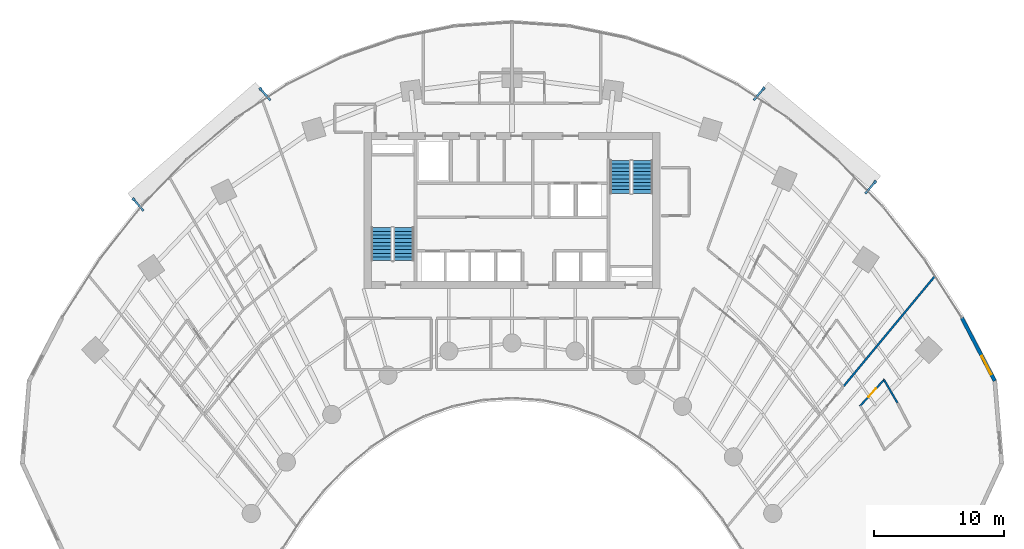
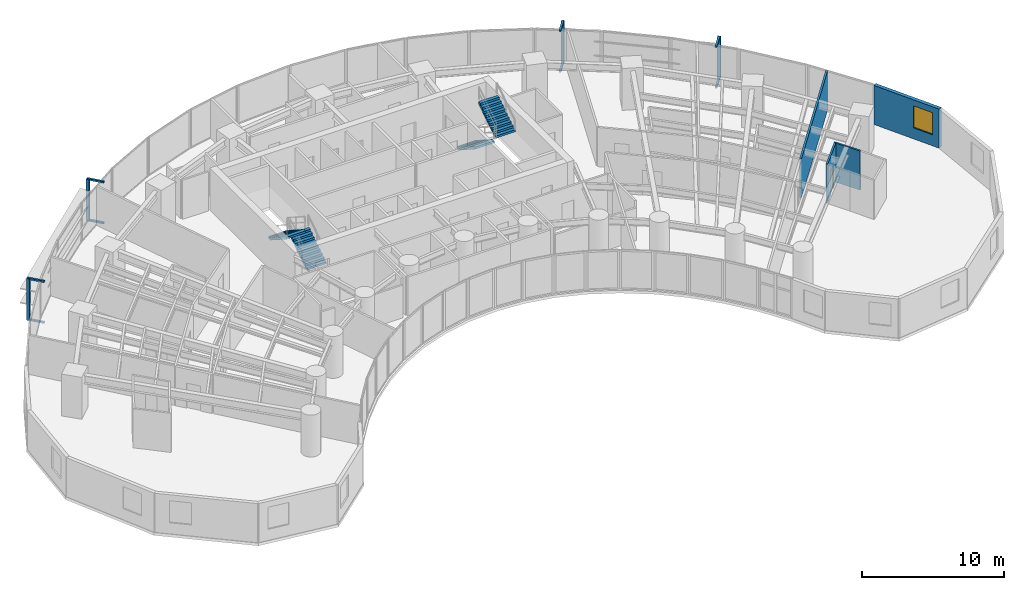
# One storey, part 15 of 17: 12 discrete accessories, 4 stair flights, 4 walls, 1 door, 1 window, 2 openings, 2 elements without a shape of their own.
"""IFC4 building model written with IfcOpenShell, lengths in metres."""

from ifc_helpers import new_model, si_unit, direction, frame, frame_2d, origin, origin_2d, place, context, subcontext, project, spatial, polyline, rectangle, outline, extrude, source, transform, mapped, material, layer, layer_set, type_object, type_shapes, element, fill, aggregate, save


model = new_model("IFC4")

# Units and contexts
model_context = context("Model", 3, precision=1e-05, world=origin(), true_north=direction((0.0, 1.0)))
body_context = subcontext(model_context, "Body", "Model", "MODEL_VIEW")
ifc_project = project(units=[si_unit("LENGTHUNIT", "METRE"), si_unit("AREAUNIT", "SQUARE_METRE"), si_unit("VOLUMEUNIT", "CUBIC_METRE"), si_unit("PLANEANGLEUNIT", "RADIAN"), si_unit("MASSUNIT", "GRAM", prefix="KILO")], contexts=[model_context])

# Site, building, storey
site_placement = place(None, origin())
site = spatial("IfcSite", under=ifc_project, at=site_placement, CompositionType="ELEMENT")
building_placement = place(site_placement, origin())
building = spatial("IfcBuilding", under=site, at=building_placement, Name="Breltana Convention Tower", CompositionType="ELEMENT")
storey_placement = place(building_placement, frame((0.0, 0.0, 53.39990234375)))
storey = spatial("IfcBuildingStorey", under=building, at=storey_placement, Name="L11", CompositionType="ELEMENT", Elevation=53.39990234375)

# Wall, opening, window
ifc_material_1 = material(Name="Limestone Buff Insulated Wall", Category="masonry")
ifc_layer_1 = layer(ifc_material_1, 0.280029296875, Name="Limestone Buff Insulated Wall")
ifc_layer_set_1 = layer_set([ifc_layer_1], Name="Limestone Buff Insulated Wall")
wall_type_1 = type_object("IfcWallType", Name="WL-EXT-NOSE-280", PredefinedType="SOLIDWALL", material=ifc_layer_set_1)
shared_shape_1 = source(origin(), body_context, "Body", "SweptSolid", [
    extrude(rectangle(XDim=5.45947265625, YDim=0.280029296875, at=frame_2d((2.729736328125, 0.0))), origin(), (0.0, 0.0, 1.0), 3.360107421875),
])
wall_1_placement = place(storey_placement, frame((82.531982421875, 57.964599609375, 0.0), z_axis=(0.0, 0.0, 1.0), x_axis=(0.461768054321, -0.887000712518, 0.0)))
wall_1 = element("IfcWall", 1, at=wall_1_placement, inside=storey, type_object=wall_type_1, Name="L11 curved limestone nose wall E7", PredefinedType="SOLIDWALL", context=body_context, shape_type="MappedRepresentation", body=[
    mapped(shared_shape_1, transform((0.0, 0.0, 0.0), scale=1.0)),
])
opening_1_placement = place(wall_1_placement, frame((3.294677734375, 0.0, 0.949951171875)))
opening_1 = element("IfcOpeningElement", 2, at=opening_1_placement, cuts=wall_1, Name="Opening W-04", PredefinedType="OPENING", context=body_context, shape_type="SweptSolid", body=[
    extrude(rectangle(XDim=1.60009765625, YDim=1.89990234375, at=frame_2d((0.800048828125, 0.949951171875))), frame((0.0, 0.14990234375, 0.0), z_axis=(0.0, -1.0, 0.0), x_axis=(1.0, 0.0, 0.0)), (0.0, 0.0, 1.0), 0.300048828125),
])
ifc_material_2 = material(Name="Glass Low-E Insulated Window", Category="glass")
window_type = type_object("IfcWindowType", Name="WN-NOSE-1600X1900", PartitioningType="SINGLE_PANEL", PredefinedType="WINDOW", material=ifc_material_2)
shared_shape_2 = source(origin(), body_context, "Body", "SweptSolid", [
    extrude(rectangle(XDim=1.60009765625, YDim=1.89990234375, at=frame_2d((0.800048828125, 0.949951171875))), frame((0.0, 0.030029296875, 0.0), z_axis=(0.0, -1.0, 0.0), x_axis=(1.0, 0.0, 0.0)), (0.0, 0.0, 1.0), 0.06005859375),
])
type_shapes(window_type, [shared_shape_2])
window_placement = place(opening_1_placement, origin())
window = element("IfcWindow", 3, at=window_placement, inside=storey, type_object=window_type, Name="L11 nose window E7", OverallHeight=1.89990234375, OverallWidth=1.60009765625, PartitioningType="SINGLE_PANEL", PredefinedType="WINDOW", context=body_context, shape_type="MappedRepresentation", body=[
    mapped(shared_shape_2, transform((0.0, 0.0, 0.0), scale=1.0)),
])
fill(opening_1, window)

# Wall, opening, door
ifc_material_3 = material(Name="Moisture-Resistant En-Suite Partition")
ifc_layer_2 = layer(ifc_material_3, 0.139892578125, Name="Moisture-Resistant En-Suite Partition")
ifc_layer_set_2 = layer_set([ifc_layer_2], Name="Moisture-Resistant En-Suite Partition")
wall_type_2 = type_object("IfcWallType", Name="WL-WET-150", PredefinedType="PARTITIONING", material=ifc_layer_set_2)
shared_shape_3 = source(origin(), body_context, "Body", "SweptSolid", [
    extrude(rectangle(XDim=2.812255859375, YDim=0.139892578125, at=frame_2d((1.40625, 0.0))), origin(), (0.0, 0.0, 1.0), 3.360107421875),
])
wall_2_placement = place(storey_placement, frame((74.69677734375, 51.176513671875, 0.0), z_axis=(0.0, 0.0, 1.0), x_axis=(0.675119025852, 0.737708818527, 0.0)))
wall_2 = element("IfcWall", 4, at=wall_2_placement, inside=storey, type_object=wall_type_2, Name="L11 interior partition W-L11-CSENS-E-W", PredefinedType="PARTITIONING", context=body_context, shape_type="MappedRepresentation", body=[
    mapped(shared_shape_3, transform((0.0, 0.0, 0.0), scale=1.0)),
])
opening_2_placement = place(wall_2_placement, frame((0.981201171875, 0.0, 0.0)))
opening_2 = element("IfcOpeningElement", 5, at=opening_2_placement, cuts=wall_2, Name="Opening D-21", PredefinedType="OPENING", context=body_context, shape_type="SweptSolid", body=[
    extrude(rectangle(XDim=0.85009765625, YDim=2.050048828125, at=frame_2d((0.425048828125, 1.02490234375))), frame((0.0, 0.080078125, 0.0), z_axis=(0.0, -1.0, 0.0), x_axis=(1.0, 0.0, 0.0)), (0.0, 0.0, 1.0), 0.159912109375),
])
ifc_material_4 = material(Name="Timber Moisture-Resistant En-Suite Door", Category="wood")
door_type = type_object("IfcDoorType", Name="DR-WET-850", OperationType="NOTDEFINED", PredefinedType="DOOR", material=ifc_material_4)
shared_shape_4 = source(origin(), body_context, "Body", "SweptSolid", [
    extrude(rectangle(XDim=0.85009765625, YDim=2.050048828125, at=frame_2d((0.425048828125, 1.02490234375))), frame((0.0, 0.02490234375, 0.0), z_axis=(0.0, -1.0, 0.0), x_axis=(1.0, 0.0, 0.0)), (0.0, 0.0, 1.0), 0.050048828125),
])
type_shapes(door_type, [shared_shape_4])
door_placement = place(opening_2_placement, origin())
door = element("IfcDoor", 6, at=door_placement, inside=storey, type_object=door_type, Name="L11 interior door D-L11-CSENS-E", OperationType="SINGLE_SWING_LEFT", OverallHeight=2.050048828125, OverallWidth=0.85009765625, PredefinedType="DOOR", context=body_context, shape_type="MappedRepresentation", body=[
    mapped(shared_shape_4, transform((0.0, 0.0, 0.0), scale=1.0)),
])
fill(opening_2, door)

# Walls
shared_shape_5 = source(origin(), body_context, "Body", "SweptSolid", [
    extrude(rectangle(XDim=2.044677734375, YDim=0.139892578125, at=frame_2d((1.0224609375, 0.0))), origin(), (0.0, 0.0, 1.0), 3.360107421875),
])
wall_3_placement = place(storey_placement, frame((76.556640625, 53.208984375, 0.0), z_axis=(0.0, 0.0, 1.0), x_axis=(0.5023112139, -0.864686905411, 0.0)))
element("IfcWall", 7, at=wall_3_placement, inside=storey, type_object=wall_type_2, Name="L11 interior partition W-L11-CSENS-E-B2A", PredefinedType="PARTITIONING", context=body_context, shape_type="MappedRepresentation", body=[
    mapped(shared_shape_5, transform((0.0, 0.0, 0.0), scale=1.0)),
])
ifc_material_5 = material(Name="Gypsum Acoustic Drywall Partition")
ifc_layer_3 = layer(ifc_material_5, 0.14990234375, Name="Gypsum Acoustic Drywall Partition")
ifc_layer_set_3 = layer_set([ifc_layer_3], Name="Gypsum Acoustic Drywall Partition")
wall_type_3 = type_object("IfcWallType", Name="WL-PART-150", PredefinedType="PARTITIONING", material=ifc_layer_set_3)
shared_shape_6 = source(origin(), body_context, "Body", "SweptSolid", [
    extrude(rectangle(XDim=10.974609375, YDim=0.14990234375, at=frame_2d((5.4873046875, 0.0))), origin(), (0.0, 0.0, 1.0), 3.360107421875),
])
wall_4_placement = place(storey_placement, frame((73.460205078125, 52.71875, 0.0), z_axis=(0.0, 0.0, 1.0), x_axis=(0.638125265812, 0.769932558821, 0.0)))
element("IfcWall", 8, at=wall_4_placement, inside=storey, type_object=wall_type_3, Name="L11 interior partition W-L11-HS04-RB", PredefinedType="PARTITIONING", context=body_context, shape_type="MappedRepresentation", body=[
    mapped(shared_shape_6, transform((0.0, 0.0, 0.0), scale=1.0)),
])

# Stair, stair flights
ifc_material_6 = material(Name="Concrete C40/50", Category="concrete")
stair_type = type_object("IfcStairType", Name="ST-DOG-1560-R180", PredefinedType="HALF_TURN_STAIR", material=ifc_material_6)
stair_1_placement = place(storey_placement, origin())
stair_1 = element("IfcStair", 9, at=stair_1_placement, inside=storey, type_object=stair_type, Name="L11 Protected Core Exit Stair ST-1", PredefinedType="HALF_TURN_STAIR")
stair_flight_type = type_object("IfcStairFlightType", Name="STF-DOG-1560-N10-R180", PredefinedType="STRAIGHT", material=ifc_material_6)
stair_flight_1_placement = place(storey_placement, frame((39.68994140625, 62.360107421875, 0.0), z_axis=(0.0, 0.0, 1.0), x_axis=(0.0, 1.0, 0.0)))
stair_flight_1 = element("IfcStairFlight", 10, at=stair_flight_1_placement, type_object=stair_flight_type, Name="ST-1 flight 1", NumberOfRisers=10, NumberOfTreads=9, PredefinedType="STRAIGHT", RiserHeight=0.18, TreadLength=0.28, context=body_context, shape_type="SweptSolid", body=[
    extrude(outline(polyline([(0.0, 0.0), (0.0, 0.179931640625), (0.280029296875, 0.179931640625), (0.280029296875, 0.360107421875), (0.56005859375, 0.360107421875), (0.56005859375, 0.5400390625), (0.840087890625, 0.5400390625), (0.840087890625, 0.719970703125), (1.1201171875, 0.719970703125), (1.1201171875, 0.89990234375), (1.39990234375, 0.89990234375), (1.39990234375, 1.080078125), (1.679931640625, 1.080078125), (1.679931640625, 1.260009765625), (1.9599609375, 1.260009765625), (1.9599609375, 1.43994140625), (2.239990234375, 1.43994140625), (2.239990234375, 1.6201171875), (2.52001953125, 1.6201171875), (2.52001953125, 1.800048828125), (2.52001953125, 1.44189453125), (0.277099609375, 0.0), (0.0, 0.0)])), frame((0.0, 0.780029296875, 0.0), z_axis=(0.0, -1.0, 0.0), x_axis=(1.0, 0.0, 0.0)), (0.0, 0.0, 1.0), 1.56005859375),
])
stair_flight_2_placement = place(storey_placement, frame((37.97998046875, 64.8798828125, 1.800048828125), z_axis=(0.0, 0.0, 1.0), x_axis=(0.0, -1.0, 0.0)))
stair_flight_2 = element("IfcStairFlight", 11, at=stair_flight_2_placement, type_object=stair_flight_type, Name="ST-1 flight 2", NumberOfRisers=10, NumberOfTreads=9, PredefinedType="STRAIGHT", RiserHeight=0.18, TreadLength=0.28, context=body_context, shape_type="SweptSolid", body=[
    extrude(outline(polyline([(0.0, 0.0), (0.0, 0.179931640625), (0.280029296875, 0.179931640625), (0.280029296875, 0.360107421875), (0.56005859375, 0.360107421875), (0.56005859375, 0.5400390625), (0.840087890625, 0.5400390625), (0.840087890625, 0.719970703125), (1.1201171875, 0.719970703125), (1.1201171875, 0.89990234375), (1.39990234375, 0.89990234375), (1.39990234375, 1.080078125), (1.679931640625, 1.080078125), (1.679931640625, 1.260009765625), (1.9599609375, 1.260009765625), (1.9599609375, 1.43994140625), (2.239990234375, 1.43994140625), (2.239990234375, 1.6201171875), (2.52001953125, 1.6201171875), (2.52001953125, 1.800048828125), (2.52001953125, 1.44189453125), (0.277099609375, 0.0), (0.0, 0.0)])), frame((0.0, 0.780029296875, 0.0), z_axis=(0.0, -1.0, 0.0), x_axis=(1.0, 0.0, 0.0)), (0.0, 0.0, 1.0), 1.56005859375),
])
aggregate(stair_1, [stair_flight_1, stair_flight_2])

stair_2_placement = place(storey_placement, origin())
stair_2 = element("IfcStair", 12, at=stair_2_placement, inside=storey, type_object=stair_type, Name="L11 Protected Core Exit Stair ST-2", PredefinedType="HALF_TURN_STAIR")
stair_flight_3_placement = place(storey_placement, frame((56.31005859375, 70.0400390625, 0.0), z_axis=(0.0, 0.0, 1.0), x_axis=(0.0, -1.0, 0.0)))
stair_flight_3 = element("IfcStairFlight", 13, at=stair_flight_3_placement, type_object=stair_flight_type, Name="ST-2 flight 1", NumberOfRisers=10, NumberOfTreads=9, PredefinedType="STRAIGHT", RiserHeight=0.18, TreadLength=0.28, context=body_context, shape_type="SweptSolid", body=[
    extrude(outline(polyline([(0.0, 0.0), (0.0, 0.179931640625), (0.280029296875, 0.179931640625), (0.280029296875, 0.360107421875), (0.56005859375, 0.360107421875), (0.56005859375, 0.5400390625), (0.840087890625, 0.5400390625), (0.840087890625, 0.719970703125), (1.1201171875, 0.719970703125), (1.1201171875, 0.89990234375), (1.39990234375, 0.89990234375), (1.39990234375, 1.080078125), (1.679931640625, 1.080078125), (1.679931640625, 1.260009765625), (1.9599609375, 1.260009765625), (1.9599609375, 1.43994140625), (2.239990234375, 1.43994140625), (2.239990234375, 1.6201171875), (2.52001953125, 1.6201171875), (2.52001953125, 1.800048828125), (2.52001953125, 1.44189453125), (0.277099609375, 0.0), (0.0, 0.0)])), frame((0.0, 0.780029296875, 0.0), z_axis=(0.0, -1.0, 0.0), x_axis=(1.0, 0.0, 0.0)), (0.0, 0.0, 1.0), 1.56005859375),
])
stair_flight_4_placement = place(storey_placement, frame((58.02001953125, 67.52001953125, 1.800048828125), z_axis=(0.0, 0.0, 1.0), x_axis=(0.0, 1.0, 0.0)))
stair_flight_4 = element("IfcStairFlight", 14, at=stair_flight_4_placement, type_object=stair_flight_type, Name="ST-2 flight 2", NumberOfRisers=10, NumberOfTreads=9, PredefinedType="STRAIGHT", RiserHeight=0.18, TreadLength=0.28, context=body_context, shape_type="SweptSolid", body=[
    extrude(outline(polyline([(0.0, 0.0), (0.0, 0.179931640625), (0.280029296875, 0.179931640625), (0.280029296875, 0.360107421875), (0.56005859375, 0.360107421875), (0.56005859375, 0.5400390625), (0.840087890625, 0.5400390625), (0.840087890625, 0.719970703125), (1.1201171875, 0.719970703125), (1.1201171875, 0.89990234375), (1.39990234375, 0.89990234375), (1.39990234375, 1.080078125), (1.679931640625, 1.080078125), (1.679931640625, 1.260009765625), (1.9599609375, 1.260009765625), (1.9599609375, 1.43994140625), (2.239990234375, 1.43994140625), (2.239990234375, 1.6201171875), (2.52001953125, 1.6201171875), (2.52001953125, 1.800048828125), (2.52001953125, 1.44189453125), (0.277099609375, 0.0), (0.0, 0.0)])), frame((0.0, 0.780029296875, 0.0), z_axis=(0.0, -1.0, 0.0), x_axis=(1.0, 0.0, 0.0)), (0.0, 0.0, 1.0), 1.56005859375),
])
aggregate(stair_2, [stair_flight_3, stair_flight_4])

# Discrete accessories
ifc_material_7 = material(Name="Steel S355", Category="steel")
discrete_accessory_type_1 = type_object("IfcDiscreteAccessoryType", Name="ACC-DSF-BRACKET-150", PredefinedType="BRACKET", material=ifc_material_7)
shared_shape_7 = source(origin(), body_context, "Body", "SweptSolid", [
    extrude(rectangle(XDim=1.239990234375, YDim=0.14990234375, at=origin_2d()), origin(), (0.0, 0.0, 1.0), 0.139892578125),
])
type_shapes(discrete_accessory_type_1, [shared_shape_7])
for number, where, z_axis, x_axis, name in (
    (15, (19.310791015625, 66.643798828125, -0.15966796875), (0.0, 0.0, 1.0), (-0.656456838663, 0.754363585397, 0.0), "L11 double-skin slab stand-off bracket 1.1B"),
    (16, (19.310791015625, 66.643798828125, 3.3603515625), (0.0, 0.0, 1.0), (-0.656456838663, 0.754363585397, 0.0), "L11 double-skin slab stand-off bracket 1.1T"),
    (17, (29.052978515625, 75.121337890625, -0.15966796875), (0.0, 0.0, 1.0), (-0.656456838663, 0.754363585397, 0.0), "L11 double-skin slab stand-off bracket 1.2B"),
    (18, (29.052978515625, 75.121337890625, 3.3603515625), (0.0, 0.0, 1.0), (-0.656456838663, 0.754363585397, 0.0), "L11 double-skin slab stand-off bracket 1.2T"),
    (19, (66.954833984375, 75.1435546875, -0.15966796875), (0.0, 0.0, 1.0), (0.641990162706, 0.76671287389, 0.0), "L11 double-skin slab stand-off bracket 2.1B"),
    (20, (66.954833984375, 75.1435546875, 3.3603515625), (0.0, 0.0, 1.0), (0.641990162706, 0.76671287389, 0.0), "L11 double-skin slab stand-off bracket 2.1T"),
    (21, (75.516357421875, 67.974853515625, -0.15966796875), (0.0, 0.0, 1.0), (0.641990162706, 0.76671287389, 0.0), "L11 double-skin slab stand-off bracket 2.2B"),
    (22, (75.516357421875, 67.974853515625, 3.3603515625), (0.0, 0.0, 1.0), (0.641990162706, 0.76671287389, 0.0), "L11 double-skin slab stand-off bracket 2.2T"),
):
    element("IfcDiscreteAccessory", number, at=place(storey_placement, frame(where, z_axis=z_axis, x_axis=x_axis)), inside=storey, type_object=discrete_accessory_type_1, Name=name, PredefinedType="BRACKET", context=body_context, shape_type="MappedRepresentation", body=[
        mapped(shared_shape_7, transform((0.0, 0.0, 0.0), scale=1.0)),
    ])
discrete_accessory_type_2 = type_object("IfcDiscreteAccessoryType", Name="ACC-DSF-CARRIER-150", PredefinedType="BRACKET", material=ifc_material_7)
shared_shape_8 = source(origin(), body_context, "Body", "SweptSolid", [
    extrude(rectangle(XDim=0.219970703125, YDim=0.219970703125, at=origin_2d()), origin(), (0.0, 0.0, 1.0), 3.580078125),
])
for number, where, z_axis, x_axis, name in (
    (23, (18.943115234375, 67.066162109375, -0.119873046875), (0.0, 0.0, 1.0), (-0.656456838663, 0.754363585397, 0.0), "L11 double-skin outer vertical carrier 1.1"),
    (24, (28.685302734375, 75.5439453125, -0.119873046875), (0.0, 0.0, 1.0), (-0.656456838663, 0.754363585397, 0.0), "L11 double-skin outer vertical carrier 1.2"),
    (25, (67.314453125, 75.57275390625, -0.119873046875), (0.0, 0.0, 1.0), (0.641990162706, 0.76671287389, 0.0), "L11 double-skin outer vertical carrier 2.1"),
    (26, (75.875732421875, 68.404052734375, -0.119873046875), (0.0, 0.0, 1.0), (0.641990162706, 0.76671287389, 0.0), "L11 double-skin outer vertical carrier 2.2"),
):
    element("IfcDiscreteAccessory", number, at=place(storey_placement, frame(where, z_axis=z_axis, x_axis=x_axis)), inside=storey, type_object=discrete_accessory_type_2, Name=name, PredefinedType="BRACKET", context=body_context, shape_type="MappedRepresentation", body=[
        mapped(shared_shape_8, transform((0.0, 0.0, 0.0), scale=1.0)),
    ])

save(model, "model.ifc")
